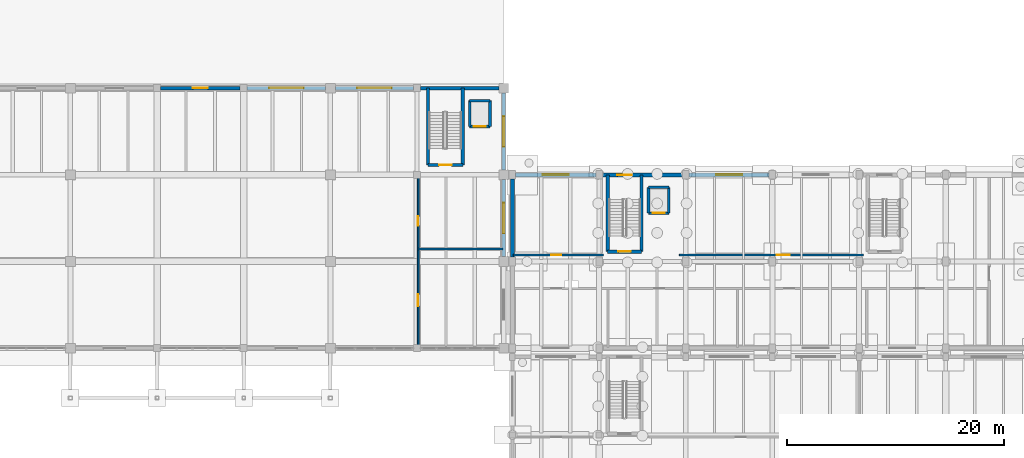
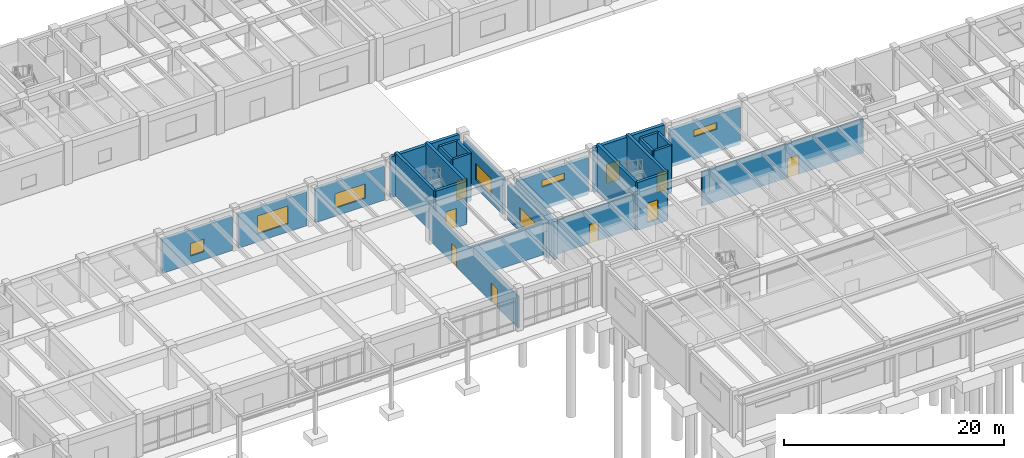
# One storey, part 37 of 64: 28 walls, 9 doors, 7 windows, 16 openings.
"""IFC4 building model written with IfcOpenShell, lengths in metres."""

from ifc_helpers import new_model, si_unit, direction, frame, frame_2d, origin, place, context, subcontext, project, spatial, rectangle, extrude, material, layer, layer_set, type_object, element, fill, save


model = new_model("IFC4")

# Units and contexts
model_context = context("Model", 3, precision=1e-05, world=origin(), true_north=direction((0.0, 1.0)))
body_context = subcontext(model_context, "Body", "Model", "MODEL_VIEW")
ifc_project = project(units=[si_unit("LENGTHUNIT", "METRE"), si_unit("AREAUNIT", "SQUARE_METRE"), si_unit("VOLUMEUNIT", "CUBIC_METRE"), si_unit("PLANEANGLEUNIT", "RADIAN"), si_unit("MASSUNIT", "GRAM", prefix="KILO")], contexts=[model_context])

# Site, building, storey
site_placement = place(None, origin())
site = spatial("IfcSite", under=ifc_project, at=site_placement, CompositionType="ELEMENT")
building_placement = place(site_placement, origin())
building = spatial("IfcBuilding", under=site, at=building_placement, Name="Tlaxcora Railside Police Headquarters", CompositionType="ELEMENT")
storey_placement = place(building_placement, origin())
storey = spatial("IfcBuildingStorey", under=building, at=storey_placement, Name="L00", CompositionType="ELEMENT", Elevation=0.0)

# Wall, opening, door
ifc_material_1 = material(Name="Gypsum acoustic partition board")
ifc_layer_1 = layer(ifc_material_1, 0.175048828125, Name="Gypsum acoustic partition board")
ifc_layer_set_1 = layer_set([ifc_layer_1], Name="Gypsum acoustic partition board")
wall_type_1 = type_object("IfcWallType", Name="Interior Partition Wall IW-22", PredefinedType="PARTITIONING", material=ifc_layer_set_1)
wall_1_placement = place(storey_placement, frame((102.8798828125, 44.60009765625, 0.0), z_axis=(0.0, 0.0, 1.0), x_axis=(1.0, 0.0, 0.0)))
wall_1 = element("IfcWall", 1, at=wall_1_placement, inside=storey, type_object=wall_type_1, Name="V7 L00 interior partition 49", PredefinedType="PARTITIONING", context=body_context, shape_type="SweptSolid", body=[
    extrude(rectangle(XDim=8.320068359375, YDim=0.175048828125, at=frame_2d((4.16015625, 0.0))), origin(), (0.0, 0.0, 1.0), 3.794921875),
])
opening_1_placement = place(wall_1_placement, frame((3.5, 0.0, 0.0)))
opening_1 = element("IfcOpeningElement", 2, at=opening_1_placement, cuts=wall_1, Name="Opening D-L00-100", PredefinedType="OPENING", context=body_context, shape_type="SweptSolid", body=[
    extrude(rectangle(XDim=0.949951171875, YDim=2.10009765625, at=frame_2d((0.47509765625, 1.050048828125))), frame((0.0, 0.09765625, 0.0), z_axis=(0.0, -1.0, 0.0), x_axis=(1.0, 0.0, 0.0)), (0.0, 0.0, 1.0), 0.195068359375),
])
ifc_material_2 = material(Name="Steel ASTM A992 Grade 50", Category="steel")
door_type_1 = type_object("IfcDoorType", Name="Swing or Sliding Personnel Door ID-87", OperationType="NOTDEFINED", PredefinedType="DOOR", material=ifc_material_2)
door_1_placement = place(opening_1_placement, origin())
door_1 = element("IfcDoor", 3, at=door_1_placement, inside=storey, type_object=door_type_1, Name="V7 L00 door D-L00-100", OperationType="SINGLE_SWING_LEFT", OverallHeight=2.10009765625, OverallWidth=0.949951171875, PredefinedType="DOOR", context=body_context, shape_type="SweptSolid", body=[
    extrude(rectangle(XDim=0.949951171875, YDim=2.10009765625, at=frame_2d((0.47509765625, 1.050048828125))), frame((0.0, 0.02490234375, 0.0), z_axis=(0.0, -1.0, 0.0), x_axis=(1.0, 0.0, 0.0)), (0.0, 0.0, 1.0), 0.050048828125),
])
fill(opening_1, door_1)

wall_2_placement = place(storey_placement, frame((118.199951171875, 44.60009765625, 0.0), z_axis=(0.0, 0.0, 1.0), x_axis=(1.0, 0.0, 0.0)))
wall_2 = element("IfcWall", 4, at=wall_2_placement, inside=storey, type_object=wall_type_1, Name="V7 L00 interior partition 50", PredefinedType="PARTITIONING", context=body_context, shape_type="SweptSolid", body=[
    extrude(rectangle(XDim=17.0, YDim=0.175048828125, at=frame_2d((8.5, 0.0))), origin(), (0.0, 0.0, 1.0), 3.794921875),
])
opening_2_placement = place(wall_2_placement, frame((9.0, 0.0, 0.0)))
opening_2 = element("IfcOpeningElement", 5, at=opening_2_placement, cuts=wall_2, Name="Opening D-L00-101", PredefinedType="OPENING", context=body_context, shape_type="SweptSolid", body=[
    extrude(rectangle(XDim=1.199951171875, YDim=2.14990234375, at=frame_2d((0.60009765625, 1.074951171875))), frame((0.0, 0.09765625, 0.0), z_axis=(0.0, -1.0, 0.0), x_axis=(1.0, 0.0, 0.0)), (0.0, 0.0, 1.0), 0.195068359375),
])
door_type_2 = type_object("IfcDoorType", Name="Swing or Sliding Personnel Door ID-14", OperationType="NOTDEFINED", PredefinedType="DOOR", material=ifc_material_2)
door_2_placement = place(opening_2_placement, origin())
door_2 = element("IfcDoor", 6, at=door_2_placement, inside=storey, type_object=door_type_2, Name="V7 L00 door D-L00-101", OperationType="DOUBLE_DOOR_SINGLE_SWING", OverallHeight=2.14990234375, OverallWidth=1.199951171875, PredefinedType="DOOR", context=body_context, shape_type="SweptSolid", body=[
    extrude(rectangle(XDim=1.199951171875, YDim=2.14990234375, at=frame_2d((0.60009765625, 1.074951171875))), frame((0.0, 0.02490234375, 0.0), z_axis=(0.0, -1.0, 0.0), x_axis=(1.0, 0.0, 0.0)), (0.0, 0.0, 1.0), 0.050048828125),
])
fill(opening_2, door_2)

# Wall, openings, doors
ifc_layer_2 = layer(ifc_material_1, 0.159912109375, Name="Gypsum acoustic partition board")
ifc_layer_set_2 = layer_set([ifc_layer_2], Name="Gypsum acoustic partition board")
wall_type_2 = type_object("IfcWallType", Name="Interior Partition Wall IW-73", PredefinedType="PARTITIONING", material=ifc_layer_set_2)
wall_3_placement = place(storey_placement, frame((94.10009765625, 36.080078125, 0.0), z_axis=(0.0, 0.0, 1.0), x_axis=(0.0, 1.0, 0.0)))
wall_3 = element("IfcWall", 7, at=wall_3_placement, inside=storey, type_object=wall_type_2, Name="V1 L00 interior partition 29", PredefinedType="PARTITIONING", context=body_context, shape_type="SweptSolid", body=[
    extrude(rectangle(XDim=16.219970703125, YDim=0.159912109375, at=frame_2d((8.10986328125, 0.0))), origin(), (0.0, 0.0, 1.0), 3.56494140625),
])
opening_3_placement = place(wall_3_placement, frame((3.800048828125, 0.0, 0.0)))
opening_3 = element("IfcOpeningElement", 8, at=opening_3_placement, cuts=wall_3, Name="Opening D-L00-081", PredefinedType="OPENING", context=body_context, shape_type="SweptSolid", body=[
    extrude(rectangle(XDim=1.10009765625, YDim=2.10009765625, at=frame_2d((0.550048828125, 1.050048828125))), frame((0.0, 0.08984375, 0.0), z_axis=(0.0, -1.0, 0.0), x_axis=(1.0, 0.0, 0.0)), (0.0, 0.0, 1.0), 0.179931640625),
])
opening_4_placement = place(wall_3_placement, frame((11.199951171875, 0.0, 0.0)))
opening_4 = element("IfcOpeningElement", 9, at=opening_4_placement, cuts=wall_3, Name="Opening D-L00-082", PredefinedType="OPENING", context=body_context, shape_type="SweptSolid", body=[
    extrude(rectangle(XDim=0.89990234375, YDim=2.10009765625, at=frame_2d((0.449951171875, 1.050048828125))), frame((0.0, 0.08984375, 0.0), z_axis=(0.0, -1.0, 0.0), x_axis=(1.0, 0.0, 0.0)), (0.0, 0.0, 1.0), 0.179931640625),
])
door_type_3 = type_object("IfcDoorType", Name="Swing or Sliding Personnel Door ID-33", OperationType="NOTDEFINED", PredefinedType="DOOR", material=ifc_material_2)
door_3_placement = place(opening_4_placement, origin())
door_3 = element("IfcDoor", 10, at=door_3_placement, inside=storey, type_object=door_type_3, Name="V1 L00 door D-L00-082", OperationType="SINGLE_SWING_RIGHT", OverallHeight=2.10009765625, OverallWidth=0.89990234375, PredefinedType="DOOR", context=body_context, shape_type="SweptSolid", body=[
    extrude(rectangle(XDim=0.89990234375, YDim=2.10009765625, at=frame_2d((0.449951171875, 1.050048828125))), frame((0.0, 0.02490234375, 0.0), z_axis=(0.0, -1.0, 0.0), x_axis=(1.0, 0.0, 0.0)), (0.0, 0.0, 1.0), 0.050048828125),
])
fill(opening_4, door_3)
door_type_4 = type_object("IfcDoorType", Name="Swing or Sliding Personnel Door ID-66", OperationType="NOTDEFINED", PredefinedType="DOOR", material=ifc_material_2)
door_4_placement = place(opening_3_placement, origin())
door_4 = element("IfcDoor", 11, at=door_4_placement, inside=storey, type_object=door_type_4, Name="V1 L00 door D-L00-081", OperationType="SINGLE_SWING_LEFT", OverallHeight=2.10009765625, OverallWidth=1.10009765625, PredefinedType="DOOR", context=body_context, shape_type="SweptSolid", body=[
    extrude(rectangle(XDim=1.10009765625, YDim=2.10009765625, at=frame_2d((0.550048828125, 1.050048828125))), frame((0.0, 0.02490234375, 0.0), z_axis=(0.0, -1.0, 0.0), x_axis=(1.0, 0.0, 0.0)), (0.0, 0.0, 1.0), 0.050048828125),
])
fill(opening_3, door_4)

# Wall
ifc_layer_3 = layer(ifc_material_1, 0.14990234375, Name="Gypsum acoustic partition board")
ifc_layer_set_3 = layer_set([ifc_layer_3], Name="Gypsum acoustic partition board")
wall_type_3 = type_object("IfcWallType", Name="Interior Partition Wall IW-91", PredefinedType="PARTITIONING", material=ifc_layer_set_3)
wall_4_placement = place(storey_placement, frame((94.10009765625, 45.14990234375, 0.0), z_axis=(0.0, 0.0, 1.0), x_axis=(1.0, 0.0, 0.0)))
element("IfcWall", 12, at=wall_4_placement, inside=storey, type_object=wall_type_3, Name="V1 L00 interior partition 30", PredefinedType="PARTITIONING", context=body_context, shape_type="SweptSolid", body=[
    extrude(rectangle(XDim=7.81982421875, YDim=0.14990234375, at=frame_2d((3.909912109375, 0.0))), origin(), (0.0, 0.0, 1.0), 3.56494140625),
])

# Wall, opening, door
ifc_material_3 = material(Name="Concrete C40/50", Category="concrete")
ifc_layer_4 = layer(ifc_material_3, 0.25, Name="Concrete C40/50")
ifc_layer_set_4 = layer_set([ifc_layer_4], Name="Concrete C40/50")
wall_type_4 = type_object("IfcWallType", Name="Shear Core Wall IW-13", PredefinedType="SHEAR", material=ifc_layer_set_4)
wall_5_placement = place(storey_placement, frame((98.860107421875, 56.4599609375, -0.5), z_axis=(0.0, 0.0, 1.0), x_axis=(1.0, 0.0, 0.0)))
wall_5 = element("IfcWall", 13, at=wall_5_placement, inside=storey, type_object=wall_type_4, Name="Lift PL-05 L00 shaft wall S", PredefinedType="SHEAR", context=body_context, shape_type="SweptSolid", body=[
    extrude(rectangle(XDim=1.8798828125, YDim=0.25, at=frame_2d((0.93994140625, 0.0))), origin(), (0.0, 0.0, 1.0), 5.300048828125),
])
opening_5_placement = place(wall_5_placement, frame((0.389892578125, 0.0, 0.5)))
opening_5 = element("IfcOpeningElement", 14, at=opening_5_placement, cuts=wall_5, Name="Opening LD-PL-05-L00", PredefinedType="OPENING", context=body_context, shape_type="SweptSolid", body=[
    extrude(rectangle(XDim=1.10009765625, YDim=2.199951171875, at=frame_2d((0.550048828125, 1.10009765625))), frame((0.0, 0.135009765625, 0.0), z_axis=(0.0, -1.0, 0.0), x_axis=(1.0, 0.0, 0.0)), (0.0, 0.0, 1.0), 0.27001953125),
])
door_type_5 = type_object("IfcDoorType", Name="Swing or Sliding Personnel Door ID-15", OperationType="NOTDEFINED", PredefinedType="DOOR", material=ifc_material_2)
door_5_placement = place(opening_5_placement, origin())
door_5 = element("IfcDoor", 15, at=door_5_placement, inside=storey, type_object=door_type_5, Name="Lift PL-05 L00 sliding landing door", OperationType="DOUBLE_DOOR_SLIDING", OverallHeight=2.199951171875, OverallWidth=1.10009765625, PredefinedType="DOOR", context=body_context, shape_type="SweptSolid", body=[
    extrude(rectangle(XDim=1.10009765625, YDim=2.199951171875, at=frame_2d((0.550048828125, 1.10009765625))), frame((0.0, 0.02490234375, 0.0), z_axis=(0.0, -1.0, 0.0), x_axis=(1.0, 0.0, 0.0)), (0.0, 0.0, 1.0), 0.050048828125),
])
fill(opening_5, door_5)

# Walls
wall_6_placement = place(storey_placement, frame((100.739990234375, 56.4599609375, -0.5), z_axis=(0.0, 0.0, 1.0), x_axis=(0.0, 1.0, 0.0)))
element("IfcWall", 16, at=wall_6_placement, inside=storey, type_object=wall_type_4, Name="Lift PL-05 L00 shaft wall E", PredefinedType="SHEAR", context=body_context, shape_type="SweptSolid", body=[
    extrude(rectangle(XDim=2.380126953125, YDim=0.25, at=frame_2d((1.18994140625, 0.0))), origin(), (0.0, 0.0, 1.0), 5.300048828125),
])
wall_7_placement = place(storey_placement, frame((100.739990234375, 58.840087890625, -0.5), z_axis=(0.0, 0.0, 1.0), x_axis=(-1.0, 0.0, 0.0)))
element("IfcWall", 17, at=wall_7_placement, inside=storey, type_object=wall_type_4, Name="Lift PL-05 L00 shaft wall N", PredefinedType="SHEAR", context=body_context, shape_type="SweptSolid", body=[
    extrude(rectangle(XDim=1.8798828125, YDim=0.25, at=frame_2d((0.93994140625, 0.0))), origin(), (0.0, 0.0, 1.0), 5.300048828125),
])
wall_8_placement = place(storey_placement, frame((98.860107421875, 58.840087890625, -0.5), z_axis=(0.0, 0.0, 1.0), x_axis=(0.0, -1.0, 0.0)))
element("IfcWall", 18, at=wall_8_placement, inside=storey, type_object=wall_type_4, Name="Lift PL-05 L00 shaft wall W", PredefinedType="SHEAR", context=body_context, shape_type="SweptSolid", body=[
    extrude(rectangle(XDim=2.380126953125, YDim=0.25, at=frame_2d((1.18994140625, 0.0))), origin(), (0.0, 0.0, 1.0), 5.300048828125),
])

# Wall, opening, door
wall_9_placement = place(storey_placement, frame((115.360107421875, 48.4599609375, -0.5), z_axis=(0.0, 0.0, 1.0), x_axis=(1.0, 0.0, 0.0)))
wall_9 = element("IfcWall", 19, at=wall_9_placement, inside=storey, type_object=wall_type_4, Name="Lift CL-01 L00 shaft wall S", PredefinedType="SHEAR", context=body_context, shape_type="SweptSolid", body=[
    extrude(rectangle(XDim=1.8798828125, YDim=0.25, at=frame_2d((0.93994140625, 0.0))), origin(), (0.0, 0.0, 1.0), 5.300048828125),
])
opening_6_placement = place(wall_9_placement, frame((0.389892578125, 0.0, 0.5)))
opening_6 = element("IfcOpeningElement", 20, at=opening_6_placement, cuts=wall_9, Name="Opening LD-CL-01-L00", PredefinedType="OPENING", context=body_context, shape_type="SweptSolid", body=[
    extrude(rectangle(XDim=1.10009765625, YDim=2.199951171875, at=frame_2d((0.550048828125, 1.10009765625))), frame((0.0, 0.135009765625, 0.0), z_axis=(0.0, -1.0, 0.0), x_axis=(1.0, 0.0, 0.0)), (0.0, 0.0, 1.0), 0.27001953125),
])
door_6_placement = place(opening_6_placement, origin())
door_6 = element("IfcDoor", 21, at=door_6_placement, inside=storey, type_object=door_type_5, Name="Lift CL-01 L00 sliding landing door", OperationType="DOUBLE_DOOR_SLIDING", OverallHeight=2.199951171875, OverallWidth=1.10009765625, PredefinedType="DOOR", context=body_context, shape_type="SweptSolid", body=[
    extrude(rectangle(XDim=1.10009765625, YDim=2.199951171875, at=frame_2d((0.550048828125, 1.10009765625))), frame((0.0, 0.02490234375, 0.0), z_axis=(0.0, -1.0, 0.0), x_axis=(1.0, 0.0, 0.0)), (0.0, 0.0, 1.0), 0.050048828125),
])
fill(opening_6, door_6)

# Walls
wall_10_placement = place(storey_placement, frame((117.239990234375, 48.4599609375, -0.5), z_axis=(0.0, 0.0, 1.0), x_axis=(0.0, 1.0, 0.0)))
element("IfcWall", 22, at=wall_10_placement, inside=storey, type_object=wall_type_4, Name="Lift CL-01 L00 shaft wall E", PredefinedType="SHEAR", context=body_context, shape_type="SweptSolid", body=[
    extrude(rectangle(XDim=2.380126953125, YDim=0.25, at=frame_2d((1.18994140625, 0.0))), origin(), (0.0, 0.0, 1.0), 5.300048828125),
])
wall_11_placement = place(storey_placement, frame((117.239990234375, 50.840087890625, -0.5), z_axis=(0.0, 0.0, 1.0), x_axis=(-1.0, 0.0, 0.0)))
element("IfcWall", 23, at=wall_11_placement, inside=storey, type_object=wall_type_4, Name="Lift CL-01 L00 shaft wall N", PredefinedType="SHEAR", context=body_context, shape_type="SweptSolid", body=[
    extrude(rectangle(XDim=1.8798828125, YDim=0.25, at=frame_2d((0.93994140625, 0.0))), origin(), (0.0, 0.0, 1.0), 5.300048828125),
])
wall_12_placement = place(storey_placement, frame((115.360107421875, 50.840087890625, -0.5), z_axis=(0.0, 0.0, 1.0), x_axis=(0.0, -1.0, 0.0)))
element("IfcWall", 24, at=wall_12_placement, inside=storey, type_object=wall_type_4, Name="Lift CL-01 L00 shaft wall W", PredefinedType="SHEAR", context=body_context, shape_type="SweptSolid", body=[
    extrude(rectangle(XDim=2.380126953125, YDim=0.25, at=frame_2d((1.18994140625, 0.0))), origin(), (0.0, 0.0, 1.0), 5.300048828125),
])

# Wall, opening, door
ifc_layer_5 = layer(ifc_material_3, 0.300048828125, Name="Concrete C40/50")
ifc_layer_set_5 = layer_set([ifc_layer_5], Name="Concrete C40/50")
wall_type_5 = type_object("IfcWallType", Name="Shear Core Wall IW-28", PredefinedType="SHEAR", material=ifc_layer_set_5)
wall_13_placement = place(storey_placement, frame((95.0, 52.89990234375, 0.0), z_axis=(0.0, 0.0, 1.0), x_axis=(1.0, 0.0, 0.0)))
wall_13 = element("IfcWall", 25, at=wall_13_placement, inside=storey, type_object=wall_type_5, Name="CORE-C5 L00 stair core wall S", PredefinedType="SHEAR", context=body_context, shape_type="SweptSolid", body=[
    extrude(rectangle(XDim=3.219970703125, YDim=0.300048828125, at=frame_2d((1.60986328125, 0.0))), origin(), (0.0, 0.0, 1.0), 4.800048828125),
])
opening_7_placement = place(wall_13_placement, frame((1.034912109375, 0.0, 0.0)))
opening_7 = element("IfcOpeningElement", 26, at=opening_7_placement, cuts=wall_13, Name="Opening SD-L00-037", PredefinedType="OPENING", context=body_context, shape_type="SweptSolid", body=[
    extrude(rectangle(XDim=1.14990234375, YDim=2.14990234375, at=frame_2d((0.574951171875, 1.074951171875))), frame((0.0, 0.16015625, 0.0), z_axis=(0.0, -1.0, 0.0), x_axis=(1.0, 0.0, 0.0)), (0.0, 0.0, 1.0), 0.320068359375),
])
door_type_6 = type_object("IfcDoorType", Name="Swing or Sliding Personnel Door ID-73", OperationType="NOTDEFINED", PredefinedType="DOOR", material=ifc_material_2)
door_7_placement = place(opening_7_placement, origin())
door_7 = element("IfcDoor", 27, at=door_7_placement, inside=storey, type_object=door_type_6, Name="Stair ST9 L00 enclosure fire door", OperationType="SINGLE_SWING_LEFT", OverallHeight=2.14990234375, OverallWidth=1.14990234375, PredefinedType="DOOR", context=body_context, shape_type="SweptSolid", body=[
    extrude(rectangle(XDim=1.14990234375, YDim=2.14990234375, at=frame_2d((0.574951171875, 1.074951171875))), frame((0.0, 0.02490234375, 0.0), z_axis=(0.0, -1.0, 0.0), x_axis=(1.0, 0.0, 0.0)), (0.0, 0.0, 1.0), 0.050048828125),
])
fill(opening_7, door_7)

# Walls
for number, where, z_axis, x_axis, name in (
    (28, (98.219970703125, 52.89990234375, 0.0), (0.0, 0.0, 1.0), (0.0, 1.0, 0.0), "CORE-C5 L00 stair core wall E"),
    (29, (95.0, 60.0, 0.0), (0.0, 0.0, 1.0), (0.0, -1.0, 0.0), "CORE-C5 L00 stair core wall W"),
):
    element("IfcWall", number, at=place(storey_placement, frame(where, z_axis=z_axis, x_axis=x_axis)), inside=storey, type_object=wall_type_5, Name=name, PredefinedType="SHEAR", context=body_context, shape_type="SweptSolid", body=[
        extrude(rectangle(XDim=7.10009765625, YDim=0.300048828125, at=frame_2d((3.550048828125, 0.0))), origin(), (0.0, 0.0, 1.0), 4.800048828125),
    ])

# Wall, opening, door
wall_14_placement = place(storey_placement, frame((111.60009765625, 44.89990234375, -0.52001953125), z_axis=(0.0, 0.0, 1.0), x_axis=(1.0, 0.0, 0.0)))
wall_14 = element("IfcWall", 30, at=wall_14_placement, inside=storey, type_object=wall_type_5, Name="CORE-C7 L00 stair core wall S", PredefinedType="SHEAR", context=body_context, shape_type="SweptSolid", body=[
    extrude(rectangle(XDim=3.119873046875, YDim=0.300048828125, at=frame_2d((1.56005859375, 0.0))), origin(), (0.0, 0.0, 1.0), 5.320068359375),
])
opening_8_placement = place(wall_14_placement, frame((0.985107421875, 0.0, 0.52001953125)))
opening_8 = element("IfcOpeningElement", 31, at=opening_8_placement, cuts=wall_14, Name="Opening SD-L00-047", PredefinedType="OPENING", context=body_context, shape_type="SweptSolid", body=[
    extrude(rectangle(XDim=1.14990234375, YDim=2.14990234375, at=frame_2d((0.574951171875, 1.074951171875))), frame((0.0, 0.16015625, 0.0), z_axis=(0.0, -1.0, 0.0), x_axis=(1.0, 0.0, 0.0)), (0.0, 0.0, 1.0), 0.320068359375),
])
door_8_placement = place(opening_8_placement, origin())
door_8 = element("IfcDoor", 32, at=door_8_placement, inside=storey, type_object=door_type_6, Name="Stair ST5 L00 enclosure fire door", OperationType="SINGLE_SWING_LEFT", OverallHeight=2.14990234375, OverallWidth=1.14990234375, PredefinedType="DOOR", context=body_context, shape_type="SweptSolid", body=[
    extrude(rectangle(XDim=1.14990234375, YDim=2.14990234375, at=frame_2d((0.574951171875, 1.074951171875))), frame((0.0, 0.02490234375, 0.0), z_axis=(0.0, -1.0, 0.0), x_axis=(1.0, 0.0, 0.0)), (0.0, 0.0, 1.0), 0.050048828125),
])
fill(opening_8, door_8)

# Walls
for number, where, z_axis, x_axis, name in (
    (33, (114.719970703125, 44.89990234375, -0.52001953125), (0.0, 0.0, 1.0), (0.0, 1.0, 0.0), "CORE-C7 L00 stair core wall E"),
    (34, (111.60009765625, 52.0, -0.52001953125), (0.0, 0.0, 1.0), (0.0, -1.0, 0.0), "CORE-C7 L00 stair core wall W"),
):
    element("IfcWall", number, at=place(storey_placement, frame(where, z_axis=z_axis, x_axis=x_axis)), inside=storey, type_object=wall_type_5, Name=name, PredefinedType="SHEAR", context=body_context, shape_type="SweptSolid", body=[
        extrude(rectangle(XDim=7.10009765625, YDim=0.300048828125, at=frame_2d((3.550048828125, 0.0))), origin(), (0.0, 0.0, 1.0), 5.320068359375),
    ])

# Wall, opening, window
ifc_material_4 = material(Name="Volcanic basalt ashlar masonry", Category="masonry")
ifc_layer_6 = layer(ifc_material_4, 0.3349609375, Name="Volcanic basalt ashlar masonry")
ifc_layer_set_6 = layer_set([ifc_layer_6], Name="Volcanic basalt ashlar masonry")
wall_type_6 = type_object("IfcWallType", Name="Structural Bearing Wall EW-46", PredefinedType="SOLIDWALL", material=ifc_layer_set_6)
wall_15_placement = place(storey_placement, frame((102.0, 44.449951171875, 0.0), z_axis=(0.0, 0.0, 1.0), x_axis=(0.0, 1.0, 0.0)))
wall_15 = element("IfcWall", 35, at=wall_15_placement, inside=storey, type_object=wall_type_6, Name="V1 L00 exterior wall 1.1", PredefinedType="SOLIDWALL", context=body_context, shape_type="SweptSolid", body=[
    extrude(rectangle(XDim=7.10009765625, YDim=0.3349609375, at=frame_2d((3.550048828125, 0.0))), origin(), (0.0, 0.0, 1.0), 3.8798828125),
])
opening_9_placement = place(wall_15_placement, frame((2.14990234375, 0.0, 0.89990234375)))
opening_9 = element("IfcOpeningElement", 36, at=opening_9_placement, cuts=wall_15, Name="Opening WN-44", PredefinedType="OPENING", context=body_context, shape_type="SweptSolid", body=[
    extrude(rectangle(XDim=2.800048828125, YDim=1.800048828125, at=frame_2d((1.39990234375, 0.89990234375))), frame((0.0, 0.177490234375, 0.0), z_axis=(0.0, -1.0, 0.0), x_axis=(1.0, 0.0, 0.0)), (0.0, 0.0, 1.0), 0.35498046875),
])
ifc_material_5 = material(Name="Thermally broken low-E insulated glazing", Category="glass")
window_type_1 = type_object("IfcWindowType", Name="Exterior Framed or Circular Window WN-44", PartitioningType="SINGLE_PANEL", PredefinedType="WINDOW", material=ifc_material_5)
window_1_placement = place(opening_9_placement, origin())
window_1 = element("IfcWindow", 37, at=window_1_placement, inside=storey, type_object=window_type_1, Name="V1 L00 window 16", OverallHeight=1.800048828125, OverallWidth=2.800048828125, PartitioningType="SINGLE_PANEL", PredefinedType="WINDOW", context=body_context, shape_type="SweptSolid", body=[
    extrude(rectangle(XDim=2.800048828125, YDim=1.800048828125, at=frame_2d((1.39990234375, 0.89990234375))), frame((0.0, 0.030029296875, 0.0), z_axis=(0.0, -1.0, 0.0), x_axis=(1.0, 0.0, 0.0)), (0.0, 0.0, 1.0), 0.06005859375),
])
fill(opening_9, window_1)

wall_16_placement = place(storey_placement, frame((102.0, 52.449951171875, 0.0), z_axis=(0.0, 0.0, 1.0), x_axis=(0.0, 1.0, 0.0)))
wall_16 = element("IfcWall", 38, at=wall_16_placement, inside=storey, type_object=wall_type_6, Name="V1 L00 exterior wall 1.2", PredefinedType="SOLIDWALL", context=body_context, shape_type="SweptSolid", body=[
    extrude(rectangle(XDim=7.10009765625, YDim=0.3349609375, at=frame_2d((3.550048828125, 0.0))), origin(), (0.0, 0.0, 1.0), 3.8798828125),
])
opening_10_placement = place(wall_16_placement, frame((2.14990234375, 0.0, 0.89990234375)))
opening_10 = element("IfcOpeningElement", 39, at=opening_10_placement, cuts=wall_16, Name="Opening WN-44", PredefinedType="OPENING", context=body_context, shape_type="SweptSolid", body=[
    extrude(rectangle(XDim=2.800048828125, YDim=1.800048828125, at=frame_2d((1.39990234375, 0.89990234375))), frame((0.0, 0.177490234375, 0.0), z_axis=(0.0, -1.0, 0.0), x_axis=(1.0, 0.0, 0.0)), (0.0, 0.0, 1.0), 0.35498046875),
])
window_2_placement = place(opening_10_placement, origin())
window_2 = element("IfcWindow", 40, at=window_2_placement, inside=storey, type_object=window_type_1, Name="V1 L00 window 17", OverallHeight=1.800048828125, OverallWidth=2.800048828125, PartitioningType="SINGLE_PANEL", PredefinedType="WINDOW", context=body_context, shape_type="SweptSolid", body=[
    extrude(rectangle(XDim=2.800048828125, YDim=1.800048828125, at=frame_2d((1.39990234375, 0.89990234375))), frame((0.0, 0.030029296875, 0.0), z_axis=(0.0, -1.0, 0.0), x_axis=(1.0, 0.0, 0.0)), (0.0, 0.0, 1.0), 0.06005859375),
])
fill(opening_10, window_2)

# Wall
wall_17_placement = place(storey_placement, frame((101.550048828125, 60.0, 0.0), z_axis=(0.0, 0.0, 1.0), x_axis=(-1.0, 0.0, 0.0)))
element("IfcWall", 41, at=wall_17_placement, inside=storey, type_object=wall_type_6, Name="V1 L00 exterior wall 2.0", PredefinedType="SOLIDWALL", context=body_context, shape_type="SweptSolid", body=[
    extrude(rectangle(XDim=7.22509765625, YDim=0.3349609375, at=frame_2d((3.612548828125, 0.0))), origin(), (0.0, 0.0, 1.0), 4.530029296875),
])

# Wall, opening, window
wall_18_placement = place(storey_placement, frame((93.675048828125, 60.0, 0.0), z_axis=(0.0, 0.0, 1.0), x_axis=(-1.0, 0.0, 0.0)))
wall_18 = element("IfcWall", 42, at=wall_18_placement, inside=storey, type_object=wall_type_6, Name="V1 L00 exterior wall 2.1", PredefinedType="SOLIDWALL", context=body_context, shape_type="SweptSolid", body=[
    extrude(rectangle(XDim=7.22509765625, YDim=0.3349609375, at=frame_2d((3.612548828125, 0.0))), origin(), (0.0, 0.0, 1.0), 3.780029296875),
])
opening_11_placement = place(wall_18_placement, frame((2.012451171875, 0.0, 0.89990234375)))
opening_11 = element("IfcOpeningElement", 43, at=opening_11_placement, cuts=wall_18, Name="Opening WN-47", PredefinedType="OPENING", context=body_context, shape_type="SweptSolid", body=[
    extrude(rectangle(XDim=3.199951171875, YDim=1.60009765625, at=frame_2d((1.60009765625, 0.800048828125))), frame((0.0, 0.177490234375, 0.0), z_axis=(0.0, -1.0, 0.0), x_axis=(1.0, 0.0, 0.0)), (0.0, 0.0, 1.0), 0.35498046875),
])
window_type_2 = type_object("IfcWindowType", Name="Exterior Framed or Circular Window WN-47", PartitioningType="SINGLE_PANEL", PredefinedType="WINDOW", material=ifc_material_5)
window_3_placement = place(opening_11_placement, origin())
window_3 = element("IfcWindow", 44, at=window_3_placement, inside=storey, type_object=window_type_2, Name="V1 L00 window 18", OverallHeight=1.60009765625, OverallWidth=3.199951171875, PartitioningType="SINGLE_PANEL", PredefinedType="WINDOW", context=body_context, shape_type="SweptSolid", body=[
    extrude(rectangle(XDim=3.199951171875, YDim=1.60009765625, at=frame_2d((1.60009765625, 0.800048828125))), frame((0.0, 0.030029296875, 0.0), z_axis=(0.0, -1.0, 0.0), x_axis=(1.0, 0.0, 0.0)), (0.0, 0.0, 1.0), 0.06005859375),
])
fill(opening_11, window_3)

wall_19_placement = place(storey_placement, frame((85.550048828125, 60.0, 0.0), z_axis=(0.0, 0.0, 1.0), x_axis=(-1.0, 0.0, 0.0)))
wall_19 = element("IfcWall", 45, at=wall_19_placement, inside=storey, type_object=wall_type_6, Name="V1 L00 exterior wall 2.2", PredefinedType="SOLIDWALL", context=body_context, shape_type="SweptSolid", body=[
    extrude(rectangle(XDim=7.22509765625, YDim=0.3349609375, at=frame_2d((3.612548828125, 0.0))), origin(), (0.0, 0.0, 1.0), 3.780029296875),
])
opening_12_placement = place(wall_19_placement, frame((2.012451171875, 0.0, 0.89990234375)))
opening_12 = element("IfcOpeningElement", 46, at=opening_12_placement, cuts=wall_19, Name="Opening WN-64", PredefinedType="OPENING", context=body_context, shape_type="SweptSolid", body=[
    extrude(rectangle(XDim=3.199951171875, YDim=2.0, at=frame_2d((1.60009765625, 1.0))), frame((0.0, 0.177490234375, 0.0), z_axis=(0.0, -1.0, 0.0), x_axis=(1.0, 0.0, 0.0)), (0.0, 0.0, 1.0), 0.35498046875),
])
window_type_3 = type_object("IfcWindowType", Name="Exterior Framed or Circular Window WN-64", PartitioningType="SINGLE_PANEL", PredefinedType="WINDOW", material=ifc_material_5)
window_4_placement = place(opening_12_placement, origin())
window_4 = element("IfcWindow", 47, at=window_4_placement, inside=storey, type_object=window_type_3, Name="V1 L00 window 19", OverallHeight=2.0, OverallWidth=3.199951171875, PartitioningType="SINGLE_PANEL", PredefinedType="WINDOW", context=body_context, shape_type="SweptSolid", body=[
    extrude(rectangle(XDim=3.199951171875, YDim=2.0, at=frame_2d((1.60009765625, 1.0))), frame((0.0, 0.030029296875, 0.0), z_axis=(0.0, -1.0, 0.0), x_axis=(1.0, 0.0, 0.0)), (0.0, 0.0, 1.0), 0.06005859375),
])
fill(opening_12, window_4)

wall_20_placement = place(storey_placement, frame((77.675048828125, 60.0, 0.0), z_axis=(0.0, 0.0, 1.0), x_axis=(-1.0, 0.0, 0.0)))
wall_20 = element("IfcWall", 48, at=wall_20_placement, inside=storey, type_object=wall_type_6, Name="V1 L00 exterior wall 2.3", PredefinedType="SOLIDWALL", context=body_context, shape_type="SweptSolid", body=[
    extrude(rectangle(XDim=7.35009765625, YDim=0.3349609375, at=frame_2d((3.675048828125, 0.0))), origin(), (0.0, 0.0, 1.0), 3.780029296875),
])
opening_13_placement = place(wall_20_placement, frame((2.97509765625, 0.0, 0.89990234375)))
opening_13 = element("IfcOpeningElement", 49, at=opening_13_placement, cuts=wall_20, Name="Opening WN-22", PredefinedType="OPENING", context=body_context, shape_type="SweptSolid", body=[
    extrude(rectangle(XDim=1.39990234375, YDim=1.39990234375, at=frame_2d((0.699951171875, 0.699951171875))), frame((0.0, 0.177490234375, 0.0), z_axis=(0.0, -1.0, 0.0), x_axis=(1.0, 0.0, 0.0)), (0.0, 0.0, 1.0), 0.35498046875),
])
window_type_4 = type_object("IfcWindowType", Name="Exterior Framed or Circular Window WN-22", PartitioningType="SINGLE_PANEL", PredefinedType="WINDOW", material=ifc_material_5)
window_5_placement = place(opening_13_placement, origin())
window_5 = element("IfcWindow", 50, at=window_5_placement, inside=storey, type_object=window_type_4, Name="V1 L00 window 20", OverallHeight=1.39990234375, OverallWidth=1.39990234375, PartitioningType="SINGLE_PANEL", PredefinedType="WINDOW", context=body_context, shape_type="SweptSolid", body=[
    extrude(rectangle(XDim=1.39990234375, YDim=1.39990234375, at=frame_2d((0.699951171875, 0.699951171875))), frame((0.0, 0.030029296875, 0.0), z_axis=(0.0, -1.0, 0.0), x_axis=(1.0, 0.0, 0.0)), (0.0, 0.0, 1.0), 0.06005859375),
])
fill(opening_13, window_5)

ifc_layer_7 = layer(ifc_material_4, 0.360107421875, Name="Volcanic basalt ashlar masonry")
ifc_layer_set_7 = layer_set([ifc_layer_7], Name="Volcanic basalt ashlar masonry")
wall_type_7 = type_object("IfcWallType", Name="Structural Bearing Wall EW-52", PredefinedType="SOLIDWALL", material=ifc_layer_set_7)
wall_21_placement = place(storey_placement, frame((126.5, 52.0, -0.419921875), z_axis=(0.0, 0.0, 1.0), x_axis=(-1.0, 0.0, 0.0)))
wall_21 = element("IfcWall", 51, at=wall_21_placement, inside=storey, type_object=wall_type_7, Name="V7 L00 exterior wall 2.4", PredefinedType="SOLIDWALL", context=body_context, shape_type="SweptSolid", body=[
    extrude(rectangle(XDim=7.39990234375, YDim=0.360107421875, at=frame_2d((3.699951171875, 0.0))), origin(), (0.0, 0.0, 1.0), 4.1298828125),
])
opening_14_placement = place(wall_21_placement, frame((2.5, 0.0, 2.52001953125)))
opening_14 = element("IfcOpeningElement", 52, at=opening_14_placement, cuts=wall_21, Name="Opening WN-32", PredefinedType="OPENING", context=body_context, shape_type="SweptSolid", body=[
    extrude(rectangle(XDim=2.39990234375, YDim=0.75, at=frame_2d((1.199951171875, 0.375))), frame((0.0, 0.18994140625, 0.0), z_axis=(0.0, -1.0, 0.0), x_axis=(1.0, 0.0, 0.0)), (0.0, 0.0, 1.0), 0.380126953125),
])
window_type_5 = type_object("IfcWindowType", Name="Exterior Framed or Circular Window WN-32", PartitioningType="SINGLE_PANEL", PredefinedType="WINDOW", material=ifc_material_5)
window_6_placement = place(opening_14_placement, origin())
window_6 = element("IfcWindow", 53, at=window_6_placement, inside=storey, type_object=window_type_5, Name="V7 L00 window 194", OverallHeight=0.75, OverallWidth=2.39990234375, PartitioningType="SINGLE_PANEL", PredefinedType="WINDOW", context=body_context, shape_type="SweptSolid", body=[
    extrude(rectangle(XDim=2.39990234375, YDim=0.75, at=frame_2d((1.199951171875, 0.375))), frame((0.0, 0.030029296875, 0.0), z_axis=(0.0, -1.0, 0.0), x_axis=(1.0, 0.0, 0.0)), (0.0, 0.0, 1.0), 0.06005859375),
])
fill(opening_14, window_6)

# Wall, opening, door
wall_22_placement = place(storey_placement, frame((118.5, 52.0, -0.419921875), z_axis=(0.0, 0.0, 1.0), x_axis=(-1.0, 0.0, 0.0)))
wall_22 = element("IfcWall", 54, at=wall_22_placement, inside=storey, type_object=wall_type_7, Name="V7 L00 exterior wall 2.5", PredefinedType="SOLIDWALL", context=body_context, shape_type="SweptSolid", body=[
    extrude(rectangle(XDim=7.39990234375, YDim=0.360107421875, at=frame_2d((3.699951171875, 0.0))), origin(), (0.0, 0.0, 1.0), 4.949951171875),
])
opening_15_placement = place(wall_22_placement, frame((4.6650390625, 0.0, 0.419921875)))
opening_15 = element("IfcOpeningElement", 55, at=opening_15_placement, cuts=wall_22, Name="Opening EX-09", PredefinedType="OPENING", context=body_context, shape_type="SweptSolid", body=[
    extrude(rectangle(XDim=1.35009765625, YDim=2.14990234375, at=frame_2d((0.675048828125, 1.074951171875))), frame((0.0, 0.18994140625, 0.0), z_axis=(0.0, -1.0, 0.0), x_axis=(1.0, 0.0, 0.0)), (0.0, 0.0, 1.0), 0.380126953125),
])
ifc_material_6 = material(Name="Anodised aluminium framing", Category="aluminium")
door_type_7 = type_object("IfcDoorType", Name="Swing or Sliding Personnel Door ED-94", OperationType="NOTDEFINED", PredefinedType="DOOR", material=ifc_material_6)
door_9_placement = place(opening_15_placement, frame((1.35009765625, 0.0, 0.0), z_axis=(0.0, 0.0, 1.0), x_axis=(-1.0, 0.0, 0.0)))
door_9 = element("IfcDoor", 56, at=door_9_placement, inside=storey, type_object=door_type_7, Name="Exit stair ST5 direct exterior discharge door", OperationType="SINGLE_SWING_LEFT", OverallHeight=2.14990234375, OverallWidth=1.35009765625, PredefinedType="DOOR", context=body_context, shape_type="SweptSolid", body=[
    extrude(rectangle(XDim=1.35009765625, YDim=2.14990234375, at=frame_2d((0.675048828125, 1.074951171875))), frame((0.0, 0.02490234375, 0.0), z_axis=(0.0, -1.0, 0.0), x_axis=(1.0, 0.0, 0.0)), (0.0, 0.0, 1.0), 0.050048828125),
])
fill(opening_15, door_9)

# Wall, opening, window
wall_23_placement = place(storey_placement, frame((110.5, 52.0, -0.419921875), z_axis=(0.0, 0.0, 1.0), x_axis=(-1.0, 0.0, 0.0)))
wall_23 = element("IfcWall", 57, at=wall_23_placement, inside=storey, type_object=wall_type_7, Name="V7 L00 exterior wall 2.6", PredefinedType="SOLIDWALL", context=body_context, shape_type="SweptSolid", body=[
    extrude(rectangle(XDim=7.39990234375, YDim=0.360107421875, at=frame_2d((3.699951171875, 0.0))), origin(), (0.0, 0.0, 1.0), 4.1298828125),
])
opening_16_placement = place(wall_23_placement, frame((2.5, 0.0, 2.52001953125)))
opening_16 = element("IfcOpeningElement", 58, at=opening_16_placement, cuts=wall_23, Name="Opening WN-32", PredefinedType="OPENING", context=body_context, shape_type="SweptSolid", body=[
    extrude(rectangle(XDim=2.39990234375, YDim=0.75, at=frame_2d((1.199951171875, 0.375))), frame((0.0, 0.18994140625, 0.0), z_axis=(0.0, -1.0, 0.0), x_axis=(1.0, 0.0, 0.0)), (0.0, 0.0, 1.0), 0.380126953125),
])
window_7_placement = place(opening_16_placement, origin())
window_7 = element("IfcWindow", 59, at=window_7_placement, inside=storey, type_object=window_type_5, Name="V7 L00 window 195", OverallHeight=0.75, OverallWidth=2.39990234375, PartitioningType="SINGLE_PANEL", PredefinedType="WINDOW", context=body_context, shape_type="SweptSolid", body=[
    extrude(rectangle(XDim=2.39990234375, YDim=0.75, at=frame_2d((1.199951171875, 0.375))), frame((0.0, 0.030029296875, 0.0), z_axis=(0.0, -1.0, 0.0), x_axis=(1.0, 0.0, 0.0)), (0.0, 0.0, 1.0), 0.06005859375),
])
fill(opening_16, window_7)

# Wall
wall_24_placement = place(storey_placement, frame((102.800048828125, 51.60009765625, -0.419921875), z_axis=(0.0, 0.0, 1.0), x_axis=(0.0, -1.0, 0.0)))
element("IfcWall", 60, at=wall_24_placement, inside=storey, type_object=wall_type_7, Name="V7 L00 exterior wall 3.0", PredefinedType="SOLIDWALL", context=body_context, shape_type="SweptSolid", body=[
    extrude(rectangle(XDim=7.2001953125, YDim=0.360107421875, at=frame_2d((3.60009765625, 0.0))), origin(), (0.0, 0.0, 1.0), 4.22998046875),
])

save(model, "model.ifc")
